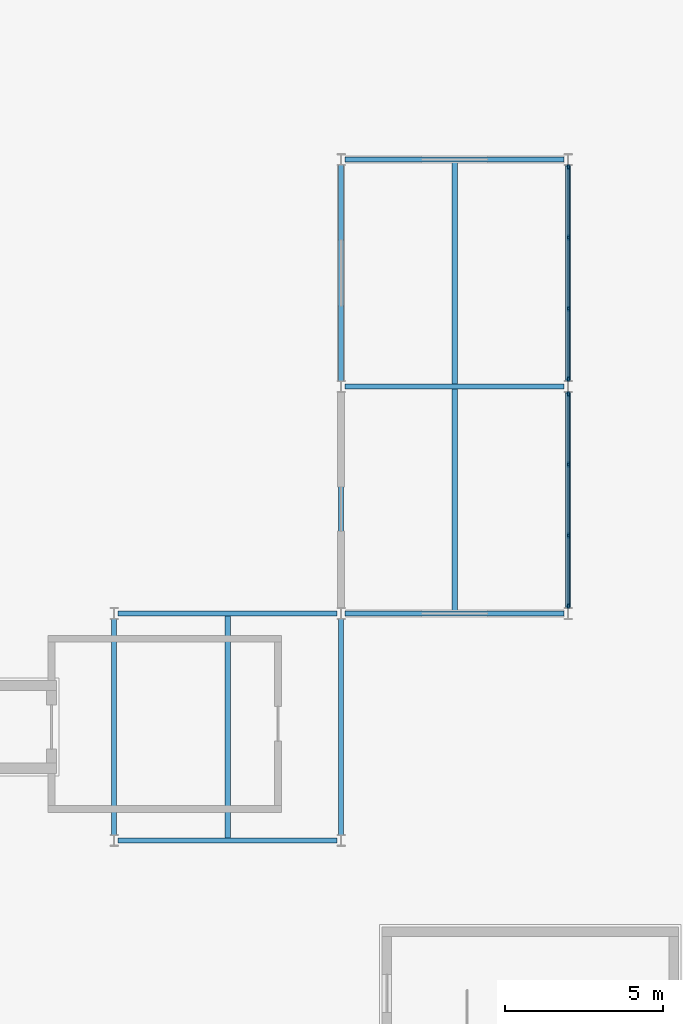
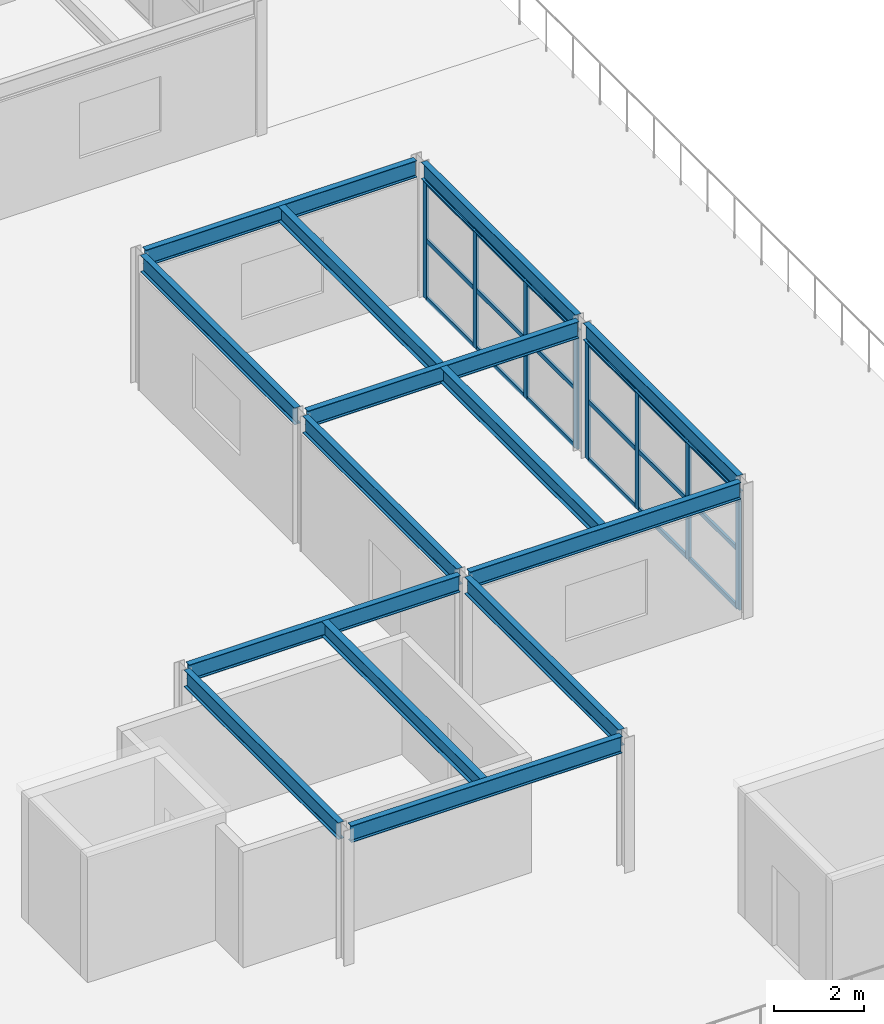
# One storey, part 21 of 52: 26 members, 14 beams, 2 elements without a shape of their own.
"""IFC4 building model written with IfcOpenShell, lengths in metres."""

from ifc_helpers import new_model, si_unit, direction, frame, origin, origin_2d, place, context, subcontext, project, spatial, rectangle, i_section, extrude, material, material_profile, profile_set, type_object, element, aggregate, save


model = new_model("IFC4")

# Units and contexts
model_context = context("Model", 3, precision=1e-05, world=origin(), true_north=direction((0.0, 1.0)))
body_context = subcontext(model_context, "Body", "Model", "MODEL_VIEW")
ifc_project = project(units=[si_unit("LENGTHUNIT", "METRE"), si_unit("AREAUNIT", "SQUARE_METRE"), si_unit("VOLUMEUNIT", "CUBIC_METRE"), si_unit("PLANEANGLEUNIT", "RADIAN"), si_unit("MASSUNIT", "GRAM", prefix="KILO")], contexts=[model_context])

# Site, building, storey
site_placement = place(None, origin())
site = spatial("IfcSite", under=ifc_project, at=site_placement, CompositionType="ELEMENT")
building_placement = place(site_placement, origin())
building = spatial("IfcBuilding", under=site, at=building_placement, Name="Vaelcorin Mobility Hub", CompositionType="ELEMENT")
storey_placement = place(building_placement, frame((0.0, 0.0, 13.199951171875)))
storey = spatial("IfcBuildingStorey", under=building, at=storey_placement, Name="L03", CompositionType="ELEMENT", Elevation=13.199951171875)

# Beams
ifc_material_1 = material(Name="Steel ASTM A992 Grade 50", Category="steel")
ifc_material_profile_1 = material_profile(ifc_material_1, i_section(OverallWidth=0.177978515625, OverallDepth=0.404052734375, WebThickness=0.007568359375, FlangeThickness=0.010986328125, FilletRadius=0.012939453125, at=origin_2d()), Name="W16X36")
ifc_profile_set_1 = profile_set([ifc_material_profile_1], Name="Steel ASTM A992 Grade 50")
beam_type_1 = type_object("IfcBeamType", Name="BM-W16X36", PredefinedType="JOIST", material=ifc_profile_set_1)
beam_placement = place(storey_placement, frame((178.800048828125, 20.47412109375, 3.4580078125), z_axis=(0.0, 1.0, 0.0), x_axis=(-1.0, 0.0, 0.0)))
element("IfcBeam", 1, at=beam_placement, inside=storey, type_object=beam_type_1, Name="L03 Beam V5GPAVS-L03-J-01-01-1", PredefinedType="JOIST", context=body_context, shape_type="SweptSolid", body=[
    extrude(i_section(OverallWidth=0.177978515625, OverallDepth=0.404052734375, WebThickness=0.007568359375, FlangeThickness=0.010986328125, FilletRadius=0.012939453125, at=origin_2d()), origin(), (0.0, 0.0, 1.0), 7.0517578125),
])
for number, where, z_axis, x_axis, name in (
    (2, (178.800048828125, 27.674072265625, 3.4580078125), (0.0, 1.0, 0.0), (-1.0, 0.0, 0.0), "L03 Beam V5GPAVS-L03-J-01-02-1"),
    (3, (171.60009765625, 13.27392578125, 3.4580078125), (0.0, 1.0, 0.0), (-1.0, 0.0, 0.0), "L03 Beam V5LL5-L03-J-01-01-1"),
):
    element("IfcBeam", number, at=place(storey_placement, frame(where, z_axis=z_axis, x_axis=x_axis)), inside=storey, type_object=beam_type_1, Name=name, PredefinedType="JOIST", context=body_context, shape_type="SweptSolid", body=[
        extrude(i_section(OverallWidth=0.177978515625, OverallDepth=0.404052734375, WebThickness=0.007568359375, FlangeThickness=0.010986328125, FilletRadius=0.012939453125, at=origin_2d()), origin(), (0.0, 0.0, 1.0), 7.052001953125),
    ])
ifc_material_profile_2 = material_profile(ifc_material_1, i_section(OverallWidth=0.152099609375, OverallDepth=0.455078125, WebThickness=0.008056640625, FlangeThickness=0.01318359375, FilletRadius=0.012939453125, at=origin_2d()), Name="W18X40")
ifc_profile_set_2 = profile_set([ifc_material_profile_2], Name="Steel ASTM A992 Grade 50")
beam_type_2 = type_object("IfcBeamType", Name="BM-W18X40", PredefinedType="JOIST", material=ifc_profile_set_2)
for number, where, z_axis, x_axis, name in (
    (4, (175.324951171875, 20.39990234375, 3.43212890625), (1.0, 0.0, 0.0), (0.0, 1.0, 0.0), "L03 Beam V5GPAVS-L03-GX-01-01"),
    (5, (175.324951171875, 27.60009765625, 3.43212890625), (1.0, 0.0, 0.0), (0.0, 1.0, 0.0), "L03 Beam V5GPAVS-L03-GX-02-01"),
    (6, (175.324951171875, 34.800048828125, 3.43212890625), (1.0, 0.0, 0.0), (0.0, 1.0, 0.0), "L03 Beam V5GPAVS-L03-GX-03-01"),
):
    element("IfcBeam", number, at=place(storey_placement, frame(where, z_axis=z_axis, x_axis=x_axis)), inside=storey, type_object=beam_type_2, Name=name, PredefinedType="JOIST", context=body_context, shape_type="SweptSolid", body=[
        extrude(i_section(OverallWidth=0.152099609375, OverallDepth=0.455078125, WebThickness=0.008056640625, FlangeThickness=0.01318359375, FilletRadius=0.012939453125, at=origin_2d()), origin(), (0.0, 0.0, 1.0), 6.949951171875),
    ])
for number, where, z_axis, x_axis, name in (
    (7, (175.199951171875, 20.575927734375, 3.43212890625), (0.0, 1.0, 0.0), (-1.0, 0.0, 0.0), "L03 Beam V5GPAVS-L03-GY-01-01"),
    (8, (175.199951171875, 27.77587890625, 3.43212890625), (0.0, 1.0, 0.0), (-1.0, 0.0, 0.0), "L03 Beam V5GPAVS-L03-GY-01-02"),
    (9, (182.39990234375, 20.575927734375, 3.43212890625), (0.0, 1.0, 0.0), (-1.0, 0.0, 0.0), "L03 Beam V5GPAVS-L03-GY-02-01"),
    (10, (182.39990234375, 27.77587890625, 3.43212890625), (0.0, 1.0, 0.0), (-1.0, 0.0, 0.0), "L03 Beam V5GPAVS-L03-GY-02-02"),
):
    element("IfcBeam", number, at=place(storey_placement, frame(where, z_axis=z_axis, x_axis=x_axis)), inside=storey, type_object=beam_type_2, Name=name, PredefinedType="JOIST", context=body_context, shape_type="SweptSolid", body=[
        extrude(i_section(OverallWidth=0.152099609375, OverallDepth=0.455078125, WebThickness=0.008056640625, FlangeThickness=0.01318359375, FilletRadius=0.012939453125, at=origin_2d()), origin(), (0.0, 0.0, 1.0), 6.84814453125),
    ])
for number, where, z_axis, x_axis, name in (
    (11, (168.125, 13.199951171875, 3.43212890625), (1.0, 0.0, 0.0), (0.0, 1.0, 0.0), "L03 Beam V5LL5-L03-GX-01-01"),
    (12, (168.125, 20.39990234375, 3.43212890625), (1.0, 0.0, 0.0), (0.0, 1.0, 0.0), "L03 Beam V5LL5-L03-GX-02-01"),
):
    element("IfcBeam", number, at=place(storey_placement, frame(where, z_axis=z_axis, x_axis=x_axis)), inside=storey, type_object=beam_type_2, Name=name, PredefinedType="JOIST", context=body_context, shape_type="SweptSolid", body=[
        extrude(i_section(OverallWidth=0.152099609375, OverallDepth=0.455078125, WebThickness=0.008056640625, FlangeThickness=0.01318359375, FilletRadius=0.012939453125, at=origin_2d()), origin(), (0.0, 0.0, 1.0), 6.949951171875),
    ])
for number, where, z_axis, x_axis, name in (
    (13, (168.0, 13.3759765625, 3.43212890625), (0.0, 1.0, 0.0), (-1.0, 0.0, 0.0), "L03 Beam V5LL5-L03-GY-01-01"),
    (14, (175.199951171875, 13.3759765625, 3.43212890625), (0.0, 1.0, 0.0), (-1.0, 0.0, 0.0), "L03 Beam V5LL5-L03-GY-02-01"),
):
    element("IfcBeam", number, at=place(storey_placement, frame(where, z_axis=z_axis, x_axis=x_axis)), inside=storey, type_object=beam_type_2, Name=name, PredefinedType="JOIST", context=body_context, shape_type="SweptSolid", body=[
        extrude(i_section(OverallWidth=0.152099609375, OverallDepth=0.455078125, WebThickness=0.008056640625, FlangeThickness=0.01318359375, FilletRadius=0.012939453125, at=origin_2d()), origin(), (0.0, 0.0, 1.0), 6.84814453125),
    ])

# Curtain wall, members
ifc_material_2 = material(Name="Anodised aluminium 6063-T6", Category="aluminium")
curtain_wall_type = type_object("IfcCurtainWallType", Name="CW-MOB-A", PredefinedType="NOTDEFINED", material=ifc_material_2)
curtain_wall_1_placement = place(storey_placement, origin())
curtain_wall_1 = element("IfcCurtainWall", 15, at=curtain_wall_1_placement, inside=storey, type_object=curtain_wall_type, Name="L03 Curtain Wall CW-L03-GPAVS-E-1", PredefinedType="NOTDEFINED")
ifc_material_profile_3 = material_profile(ifc_material_2, rectangle(XDim=0.06005859375, YDim=0.159912109375, at=origin_2d()), Name="ALU-M60X160")
ifc_profile_set_3 = profile_set([ifc_material_profile_3], Name="Anodised aluminium 6063-T6")
member_type_1 = type_object("IfcMemberType", Name="CW-MULL-160", PredefinedType="MULLION", material=ifc_profile_set_3)
member_1_placement = place(storey_placement, frame((182.39990234375, 27.35009765625, 0.0), z_axis=(0.0, 0.0, 1.0), x_axis=(1.0, 0.0, 0.0)))
member_1 = element("IfcMember", 16, at=member_1_placement, type_object=member_type_1, Name="CW7 mullion 1", PredefinedType="MULLION", context=body_context, shape_type="SweptSolid", body=[
    extrude(rectangle(XDim=0.06005859375, YDim=0.159912109375, at=origin_2d()), origin(), (0.0, 0.0, 1.0), 3.18994140625),
])
member_2_placement = place(storey_placement, frame((182.39990234375, 25.126708984375, 0.0), z_axis=(0.0, 0.0, 1.0), x_axis=(1.0, 0.0, 0.0)))
member_2 = element("IfcMember", 17, at=member_2_placement, type_object=member_type_1, Name="CW7 mullion 2", PredefinedType="MULLION", context=body_context, shape_type="SweptSolid", body=[
    extrude(rectangle(XDim=0.06005859375, YDim=0.159912109375, at=origin_2d()), origin(), (0.0, 0.0, 1.0), 3.18994140625),
])
member_3_placement = place(storey_placement, frame((182.39990234375, 22.873291015625, 0.0), z_axis=(0.0, 0.0, 1.0), x_axis=(1.0, 0.0, 0.0)))
member_3 = element("IfcMember", 18, at=member_3_placement, type_object=member_type_1, Name="CW7 mullion 3", PredefinedType="MULLION", context=body_context, shape_type="SweptSolid", body=[
    extrude(rectangle(XDim=0.06005859375, YDim=0.159912109375, at=origin_2d()), origin(), (0.0, 0.0, 1.0), 3.18994140625),
])
member_4_placement = place(storey_placement, frame((182.39990234375, 20.64990234375, 0.0), z_axis=(0.0, 0.0, 1.0), x_axis=(1.0, 0.0, 0.0)))
member_4 = element("IfcMember", 19, at=member_4_placement, type_object=member_type_1, Name="CW7 mullion 4", PredefinedType="MULLION", context=body_context, shape_type="SweptSolid", body=[
    extrude(rectangle(XDim=0.06005859375, YDim=0.159912109375, at=origin_2d()), origin(), (0.0, 0.0, 1.0), 3.18994140625),
])

curtain_wall_2_placement = place(storey_placement, origin())
curtain_wall_2 = element("IfcCurtainWall", 20, at=curtain_wall_2_placement, inside=storey, type_object=curtain_wall_type, Name="L03 Curtain Wall CW-L03-GPAVS-E-2", PredefinedType="NOTDEFINED")
member_5_placement = place(storey_placement, frame((182.39990234375, 34.550048828125, 0.0), z_axis=(0.0, 0.0, 1.0), x_axis=(1.0, 0.0, 0.0)))
member_5 = element("IfcMember", 21, at=member_5_placement, type_object=member_type_1, Name="CW7 mullion 1", PredefinedType="MULLION", context=body_context, shape_type="SweptSolid", body=[
    extrude(rectangle(XDim=0.06005859375, YDim=0.159912109375, at=origin_2d()), origin(), (0.0, 0.0, 1.0), 3.18994140625),
])
member_6_placement = place(storey_placement, frame((182.39990234375, 32.32666015625, 0.0), z_axis=(0.0, 0.0, 1.0), x_axis=(1.0, 0.0, 0.0)))
member_6 = element("IfcMember", 22, at=member_6_placement, type_object=member_type_1, Name="CW7 mullion 2", PredefinedType="MULLION", context=body_context, shape_type="SweptSolid", body=[
    extrude(rectangle(XDim=0.06005859375, YDim=0.159912109375, at=origin_2d()), origin(), (0.0, 0.0, 1.0), 3.18994140625),
])
member_7_placement = place(storey_placement, frame((182.39990234375, 30.0732421875, 0.0), z_axis=(0.0, 0.0, 1.0), x_axis=(1.0, 0.0, 0.0)))
member_7 = element("IfcMember", 23, at=member_7_placement, type_object=member_type_1, Name="CW7 mullion 3", PredefinedType="MULLION", context=body_context, shape_type="SweptSolid", body=[
    extrude(rectangle(XDim=0.06005859375, YDim=0.159912109375, at=origin_2d()), origin(), (0.0, 0.0, 1.0), 3.18994140625),
])
member_8_placement = place(storey_placement, frame((182.39990234375, 27.85009765625, 0.0), z_axis=(0.0, 0.0, 1.0), x_axis=(1.0, 0.0, 0.0)))
member_8 = element("IfcMember", 24, at=member_8_placement, type_object=member_type_1, Name="CW7 mullion 4", PredefinedType="MULLION", context=body_context, shape_type="SweptSolid", body=[
    extrude(rectangle(XDim=0.06005859375, YDim=0.159912109375, at=origin_2d()), origin(), (0.0, 0.0, 1.0), 3.18994140625),
])

# Member
ifc_material_profile_4 = material_profile(ifc_material_2, rectangle(XDim=0.06005859375, YDim=0.1201171875, at=origin_2d()), Name="ALU-T60X120")
ifc_profile_set_4 = profile_set([ifc_material_profile_4], Name="Anodised aluminium 6063-T6")
member_type_2 = type_object("IfcMemberType", Name="CW-TRAN-140", PredefinedType="USERDEFINED", material=ifc_profile_set_4)
member_9_placement = place(storey_placement, frame((182.39990234375, 27.320068359375, 0.030029296875), z_axis=(0.0, -1.0, 0.0), x_axis=(1.0, 0.0, 0.0)))
member_9 = element("IfcMember", 25, at=member_9_placement, type_object=member_type_2, Name="CW7 transom 1.1", ObjectType="TRANSOM", PredefinedType="USERDEFINED", context=body_context, shape_type="SweptSolid", body=[
    extrude(rectangle(XDim=0.06005859375, YDim=0.1201171875, at=origin_2d()), origin(), (0.0, 0.0, 1.0), 2.163330078125),
])

member_10_placement = place(storey_placement, frame((182.39990234375, 27.320068359375, 1.594970703125), z_axis=(0.0, -1.0, 0.0), x_axis=(1.0, 0.0, 0.0)))
member_10 = element("IfcMember", 26, at=member_10_placement, type_object=member_type_2, Name="CW7 transom 1.2", ObjectType="TRANSOM", PredefinedType="USERDEFINED", context=body_context, shape_type="SweptSolid", body=[
    extrude(rectangle(XDim=0.06005859375, YDim=0.1201171875, at=origin_2d()), origin(), (0.0, 0.0, 1.0), 2.163330078125),
])

member_11_placement = place(storey_placement, frame((182.39990234375, 27.320068359375, 3.16015625), z_axis=(0.0, -1.0, 0.0), x_axis=(1.0, 0.0, 0.0)))
member_11 = element("IfcMember", 27, at=member_11_placement, type_object=member_type_2, Name="CW7 transom 1.3", ObjectType="TRANSOM", PredefinedType="USERDEFINED", context=body_context, shape_type="SweptSolid", body=[
    extrude(rectangle(XDim=0.06005859375, YDim=0.1201171875, at=origin_2d()), origin(), (0.0, 0.0, 1.0), 2.163330078125),
])

member_12_placement = place(storey_placement, frame((182.39990234375, 25.0966796875, 0.030029296875), z_axis=(0.0, -1.0, 0.0), x_axis=(1.0, 0.0, 0.0)))
member_12 = element("IfcMember", 28, at=member_12_placement, type_object=member_type_2, Name="CW7 transom 2.1", ObjectType="TRANSOM", PredefinedType="USERDEFINED", context=body_context, shape_type="SweptSolid", body=[
    extrude(rectangle(XDim=0.06005859375, YDim=0.1201171875, at=origin_2d()), origin(), (0.0, 0.0, 1.0), 2.193359375),
])

member_13_placement = place(storey_placement, frame((182.39990234375, 25.0966796875, 1.594970703125), z_axis=(0.0, -1.0, 0.0), x_axis=(1.0, 0.0, 0.0)))
member_13 = element("IfcMember", 29, at=member_13_placement, type_object=member_type_2, Name="CW7 transom 2.2", ObjectType="TRANSOM", PredefinedType="USERDEFINED", context=body_context, shape_type="SweptSolid", body=[
    extrude(rectangle(XDim=0.06005859375, YDim=0.1201171875, at=origin_2d()), origin(), (0.0, 0.0, 1.0), 2.193359375),
])

member_14_placement = place(storey_placement, frame((182.39990234375, 25.0966796875, 3.16015625), z_axis=(0.0, -1.0, 0.0), x_axis=(1.0, 0.0, 0.0)))
member_14 = element("IfcMember", 30, at=member_14_placement, type_object=member_type_2, Name="CW7 transom 2.3", ObjectType="TRANSOM", PredefinedType="USERDEFINED", context=body_context, shape_type="SweptSolid", body=[
    extrude(rectangle(XDim=0.06005859375, YDim=0.1201171875, at=origin_2d()), origin(), (0.0, 0.0, 1.0), 2.193359375),
])

member_15_placement = place(storey_placement, frame((182.39990234375, 22.84326171875, 0.030029296875), z_axis=(0.0, -1.0, 0.0), x_axis=(1.0, 0.0, 0.0)))
member_15 = element("IfcMember", 31, at=member_15_placement, type_object=member_type_2, Name="CW7 transom 3.1", ObjectType="TRANSOM", PredefinedType="USERDEFINED", context=body_context, shape_type="SweptSolid", body=[
    extrude(rectangle(XDim=0.06005859375, YDim=0.1201171875, at=origin_2d()), origin(), (0.0, 0.0, 1.0), 2.163330078125),
])

member_16_placement = place(storey_placement, frame((182.39990234375, 22.84326171875, 1.594970703125), z_axis=(0.0, -1.0, 0.0), x_axis=(1.0, 0.0, 0.0)))
member_16 = element("IfcMember", 32, at=member_16_placement, type_object=member_type_2, Name="CW7 transom 3.2", ObjectType="TRANSOM", PredefinedType="USERDEFINED", context=body_context, shape_type="SweptSolid", body=[
    extrude(rectangle(XDim=0.06005859375, YDim=0.1201171875, at=origin_2d()), origin(), (0.0, 0.0, 1.0), 2.163330078125),
])

member_17_placement = place(storey_placement, frame((182.39990234375, 22.84326171875, 3.16015625), z_axis=(0.0, -1.0, 0.0), x_axis=(1.0, 0.0, 0.0)))
member_17 = element("IfcMember", 33, at=member_17_placement, type_object=member_type_2, Name="CW7 transom 3.3", ObjectType="TRANSOM", PredefinedType="USERDEFINED", context=body_context, shape_type="SweptSolid", body=[
    extrude(rectangle(XDim=0.06005859375, YDim=0.1201171875, at=origin_2d()), origin(), (0.0, 0.0, 1.0), 2.163330078125),
])

aggregate(curtain_wall_1, [member_1, member_2, member_3, member_4, member_9, member_10, member_11, member_12, member_13, member_14, member_15, member_16, member_17])

member_18_placement = place(storey_placement, frame((182.39990234375, 34.52001953125, 0.030029296875), z_axis=(0.0, -1.0, 0.0), x_axis=(1.0, 0.0, 0.0)))
member_18 = element("IfcMember", 34, at=member_18_placement, type_object=member_type_2, Name="CW7 transom 1.1", ObjectType="TRANSOM", PredefinedType="USERDEFINED", context=body_context, shape_type="SweptSolid", body=[
    extrude(rectangle(XDim=0.06005859375, YDim=0.1201171875, at=origin_2d()), origin(), (0.0, 0.0, 1.0), 2.163330078125),
])

member_19_placement = place(storey_placement, frame((182.39990234375, 34.52001953125, 1.594970703125), z_axis=(0.0, -1.0, 0.0), x_axis=(1.0, 0.0, 0.0)))
member_19 = element("IfcMember", 35, at=member_19_placement, type_object=member_type_2, Name="CW7 transom 1.2", ObjectType="TRANSOM", PredefinedType="USERDEFINED", context=body_context, shape_type="SweptSolid", body=[
    extrude(rectangle(XDim=0.06005859375, YDim=0.1201171875, at=origin_2d()), origin(), (0.0, 0.0, 1.0), 2.163330078125),
])

member_20_placement = place(storey_placement, frame((182.39990234375, 34.52001953125, 3.16015625), z_axis=(0.0, -1.0, 0.0), x_axis=(1.0, 0.0, 0.0)))
member_20 = element("IfcMember", 36, at=member_20_placement, type_object=member_type_2, Name="CW7 transom 1.3", ObjectType="TRANSOM", PredefinedType="USERDEFINED", context=body_context, shape_type="SweptSolid", body=[
    extrude(rectangle(XDim=0.06005859375, YDim=0.1201171875, at=origin_2d()), origin(), (0.0, 0.0, 1.0), 2.163330078125),
])

member_21_placement = place(storey_placement, frame((182.39990234375, 32.296630859375, 0.030029296875), z_axis=(0.0, -1.0, 0.0), x_axis=(1.0, 0.0, 0.0)))
member_21 = element("IfcMember", 37, at=member_21_placement, type_object=member_type_2, Name="CW7 transom 2.1", ObjectType="TRANSOM", PredefinedType="USERDEFINED", context=body_context, shape_type="SweptSolid", body=[
    extrude(rectangle(XDim=0.06005859375, YDim=0.1201171875, at=origin_2d()), origin(), (0.0, 0.0, 1.0), 2.193359375),
])

member_22_placement = place(storey_placement, frame((182.39990234375, 32.296630859375, 1.594970703125), z_axis=(0.0, -1.0, 0.0), x_axis=(1.0, 0.0, 0.0)))
member_22 = element("IfcMember", 38, at=member_22_placement, type_object=member_type_2, Name="CW7 transom 2.2", ObjectType="TRANSOM", PredefinedType="USERDEFINED", context=body_context, shape_type="SweptSolid", body=[
    extrude(rectangle(XDim=0.06005859375, YDim=0.1201171875, at=origin_2d()), origin(), (0.0, 0.0, 1.0), 2.193359375),
])

member_23_placement = place(storey_placement, frame((182.39990234375, 32.296630859375, 3.16015625), z_axis=(0.0, -1.0, 0.0), x_axis=(1.0, 0.0, 0.0)))
member_23 = element("IfcMember", 39, at=member_23_placement, type_object=member_type_2, Name="CW7 transom 2.3", ObjectType="TRANSOM", PredefinedType="USERDEFINED", context=body_context, shape_type="SweptSolid", body=[
    extrude(rectangle(XDim=0.06005859375, YDim=0.1201171875, at=origin_2d()), origin(), (0.0, 0.0, 1.0), 2.193359375),
])

member_24_placement = place(storey_placement, frame((182.39990234375, 30.043212890625, 0.030029296875), z_axis=(0.0, -1.0, 0.0), x_axis=(1.0, 0.0, 0.0)))
member_24 = element("IfcMember", 40, at=member_24_placement, type_object=member_type_2, Name="CW7 transom 3.1", ObjectType="TRANSOM", PredefinedType="USERDEFINED", context=body_context, shape_type="SweptSolid", body=[
    extrude(rectangle(XDim=0.06005859375, YDim=0.1201171875, at=origin_2d()), origin(), (0.0, 0.0, 1.0), 2.163330078125),
])

member_25_placement = place(storey_placement, frame((182.39990234375, 30.043212890625, 1.594970703125), z_axis=(0.0, -1.0, 0.0), x_axis=(1.0, 0.0, 0.0)))
member_25 = element("IfcMember", 41, at=member_25_placement, type_object=member_type_2, Name="CW7 transom 3.2", ObjectType="TRANSOM", PredefinedType="USERDEFINED", context=body_context, shape_type="SweptSolid", body=[
    extrude(rectangle(XDim=0.06005859375, YDim=0.1201171875, at=origin_2d()), origin(), (0.0, 0.0, 1.0), 2.163330078125),
])

member_26_placement = place(storey_placement, frame((182.39990234375, 30.043212890625, 3.16015625), z_axis=(0.0, -1.0, 0.0), x_axis=(1.0, 0.0, 0.0)))
member_26 = element("IfcMember", 42, at=member_26_placement, type_object=member_type_2, Name="CW7 transom 3.3", ObjectType="TRANSOM", PredefinedType="USERDEFINED", context=body_context, shape_type="SweptSolid", body=[
    extrude(rectangle(XDim=0.06005859375, YDim=0.1201171875, at=origin_2d()), origin(), (0.0, 0.0, 1.0), 2.163330078125),
])

aggregate(curtain_wall_2, [member_5, member_6, member_7, member_8, member_18, member_19, member_20, member_21, member_22, member_23, member_24, member_25, member_26])

save(model, "model.ifc")
